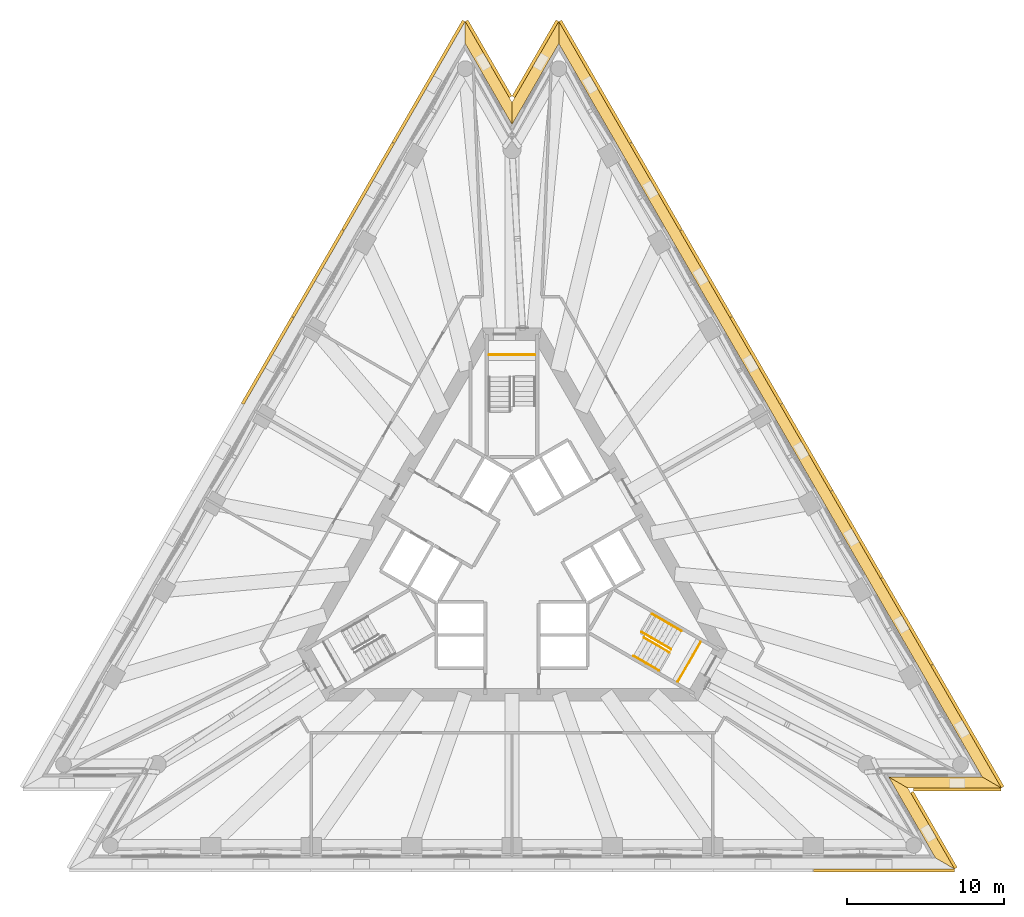
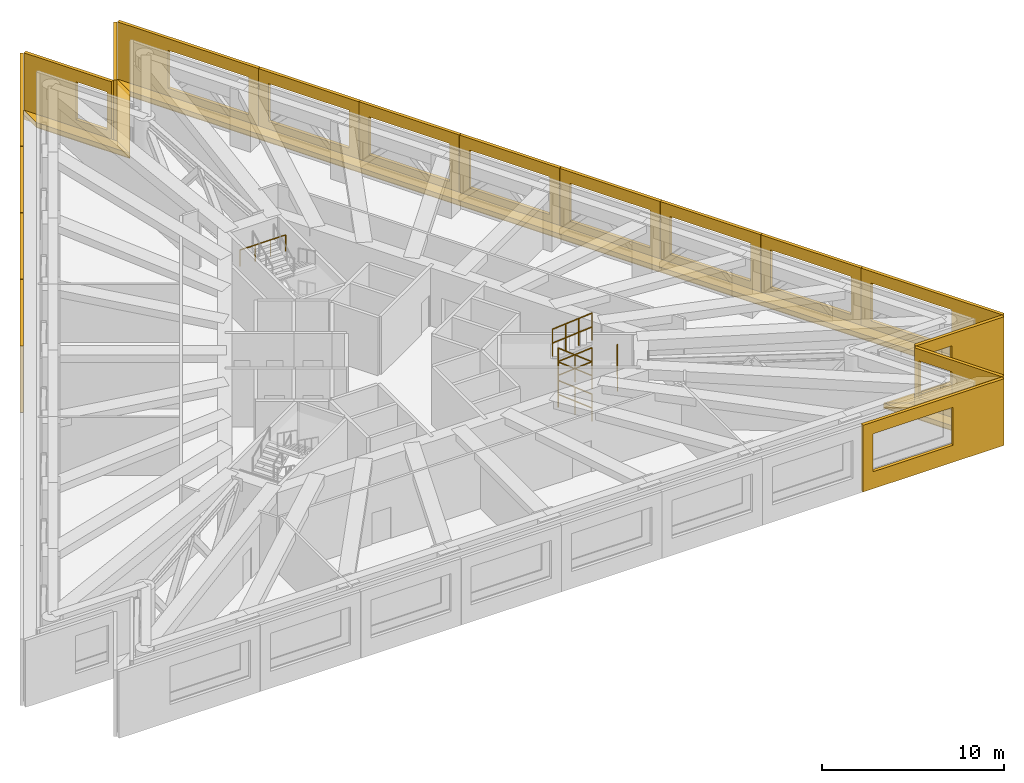
# One storey, part 13 of 13: 22 shading devices, 10 railings, 5 coverings, 2 elements without a shape of their own.
"""IFC4 building model written with IfcOpenShell, lengths in metres."""

from ifc_helpers import new_model, si_unit, direction, frame, origin, origin_2d, place, context, subcontext, project, spatial, polyline, circle, outline, extrude, material, layer, layer_set, layer_usage, type_object, element, aggregate, save


model = new_model("IFC4")

# Units and contexts
model_context = context("Model", 3, precision=1e-05, world=origin(), true_north=direction((0.0, 1.0)))
body_context = subcontext(model_context, "Body", "Model", "MODEL_VIEW")
ifc_project = project(units=[si_unit("LENGTHUNIT", "METRE"), si_unit("AREAUNIT", "SQUARE_METRE"), si_unit("VOLUMEUNIT", "CUBIC_METRE"), si_unit("PLANEANGLEUNIT", "RADIAN"), si_unit("MASSUNIT", "GRAM", prefix="KILO")], contexts=[model_context])

# Site, building, storey
site_placement = place(None, origin())
site = spatial("IfcSite", under=ifc_project, at=site_placement, CompositionType="ELEMENT")
building_placement = place(site_placement, origin())
building = spatial("IfcBuilding", under=site, at=building_placement, Name="Triada Interchange Tower", CompositionType="ELEMENT")
storey_placement = place(building_placement, frame((0.0, 0.0, 176.300048828125)))
storey = spatial("IfcBuildingStorey", under=building, at=storey_placement, Name="L41", CompositionType="ELEMENT", Elevation=176.300048828125)

# Coverings
ifc_material_1 = material(Name="Mineral fire-stop board")
ifc_layer_1 = layer(ifc_material_1, 0.0400390625, Name="Mineral fire-stop board")
ifc_material_2 = material(Name="Intumescent sealant")
ifc_layer_2 = layer(ifc_material_2, 0.010009765625, Name="Intumescent seal")
ifc_layer_set_1 = layer_set([ifc_layer_1, ifc_layer_2], Name="Cavity fire stop")
ifc_layer_usage = layer_usage(ifc_layer_set_1, "AXIS3", "POSITIVE", 0.0)
covering_type = type_object("IfcCoveringType", Name="Cavity fire stop", PredefinedType="INSULATION", material=ifc_layer_set_1)
covering_1_placement = place(storey_placement, origin())
element("IfcCovering", 1, at=covering_1_placement, inside=storey, type_object=covering_type, material=ifc_layer_usage, Name="Cavity fire stop L41 SE-1", PredefinedType="INSULATION", context=body_context, shape_type="SweptSolid", body=[
    extrude(outline(polyline([(26.89892578125, -18.9609375), (28.111083984375, -19.660888671875), (25.139892578125, -14.514892578125), (23.927978515625, -13.81494140625), (26.89892578125, -18.9609375)])), origin(), (0.0, 0.0, 1.0), 0.050048828125),
])
covering_2_placement = place(storey_placement, origin())
element("IfcCovering", 2, at=covering_2_placement, inside=storey, type_object=covering_type, material=ifc_layer_usage, Name="Cavity fire stop L41 SE-2", PredefinedType="INSULATION", context=body_context, shape_type="SweptSolid", body=[
    extrude(outline(polyline([(23.927978515625, -13.81494140625), (25.139892578125, -14.514892578125), (31.08203125, -14.514892578125), (29.8701171875, -13.81494140625), (23.927978515625, -13.81494140625)])), origin(), (0.0, 0.0, 1.0), 0.050048828125),
])
covering_3_placement = place(storey_placement, origin())
element("IfcCovering", 3, at=covering_3_placement, inside=storey, type_object=covering_type, material=ifc_layer_usage, Name="Cavity fire stop L41 NE", PredefinedType="INSULATION", context=body_context, shape_type="SweptSolid", body=[
    extrude(outline(polyline([(29.8701171875, -13.81494140625), (31.08203125, -14.514892578125), (2.970947265625, 34.176025390625), (2.970947265625, 32.77587890625), (29.8701171875, -13.81494140625)])), origin(), (0.0, 0.0, 1.0), 0.050048828125),
])
covering_4_placement = place(storey_placement, origin())
element("IfcCovering", 4, at=covering_4_placement, inside=storey, type_object=covering_type, material=ifc_layer_usage, Name="Cavity fire stop L41 N-1", PredefinedType="INSULATION", context=body_context, shape_type="SweptSolid", body=[
    extrude(outline(polyline([(2.970947265625, 32.77587890625), (2.970947265625, 34.176025390625), (0.0, 29.029052734375), (0.0, 27.62890625), (2.970947265625, 32.77587890625)])), origin(), (0.0, 0.0, 1.0), 0.050048828125),
])
covering_5_placement = place(storey_placement, origin())
element("IfcCovering", 5, at=covering_5_placement, inside=storey, type_object=covering_type, material=ifc_layer_usage, Name="Cavity fire stop L41 N-2", PredefinedType="INSULATION", context=body_context, shape_type="SweptSolid", body=[
    extrude(outline(polyline([(0.0, 27.62890625), (0.0, 29.029052734375), (-2.970947265625, 34.176025390625), (-2.970947265625, 32.77587890625), (0.0, 27.62890625)])), origin(), (0.0, 0.0, 1.0), 0.050048828125),
])

# Shading devices
ifc_material_3 = material(Name="Aluminium louvre", Category="aluminium")
shading_device_type_1 = type_object("IfcShadingDeviceType", Name="Cavity louvre grille", PredefinedType="JALOUSIE", material=ifc_material_3)
shading_device_1_placement = place(storey_placement, frame((0.0, 0.0, 0.050048828125)))
element("IfcShadingDevice", 6, at=shading_device_1_placement, inside=storey, type_object=shading_device_type_1, Name="Cavity louvre grille L41 SE-1", PredefinedType="JALOUSIE", context=body_context, shape_type="SweptSolid", body=[
    extrude(outline(polyline([(26.89892578125, -18.9609375), (28.111083984375, -19.660888671875), (25.139892578125, -14.514892578125), (23.927978515625, -13.81494140625), (26.89892578125, -18.9609375)])), origin(), (0.0, 0.0, 1.0), 0.2998046875),
])
shading_device_2_placement = place(storey_placement, frame((0.0, 0.0, 0.050048828125)))
element("IfcShadingDevice", 7, at=shading_device_2_placement, inside=storey, type_object=shading_device_type_1, Name="Cavity louvre grille L41 SE-2", PredefinedType="JALOUSIE", context=body_context, shape_type="SweptSolid", body=[
    extrude(outline(polyline([(23.927978515625, -13.81494140625), (25.139892578125, -14.514892578125), (31.08203125, -14.514892578125), (29.8701171875, -13.81494140625), (23.927978515625, -13.81494140625)])), origin(), (0.0, 0.0, 1.0), 0.2998046875),
])
shading_device_3_placement = place(storey_placement, frame((0.0, 0.0, 0.050048828125)))
element("IfcShadingDevice", 8, at=shading_device_3_placement, inside=storey, type_object=shading_device_type_1, Name="Cavity louvre grille L41 NE", PredefinedType="JALOUSIE", context=body_context, shape_type="SweptSolid", body=[
    extrude(outline(polyline([(29.8701171875, -13.81494140625), (31.08203125, -14.514892578125), (2.970947265625, 34.176025390625), (2.970947265625, 32.77587890625), (29.8701171875, -13.81494140625)])), origin(), (0.0, 0.0, 1.0), 0.2998046875),
])
shading_device_4_placement = place(storey_placement, frame((0.0, 0.0, 0.050048828125)))
element("IfcShadingDevice", 9, at=shading_device_4_placement, inside=storey, type_object=shading_device_type_1, Name="Cavity louvre grille L41 N-1", PredefinedType="JALOUSIE", context=body_context, shape_type="SweptSolid", body=[
    extrude(outline(polyline([(2.970947265625, 32.77587890625), (2.970947265625, 34.176025390625), (0.0, 29.029052734375), (0.0, 27.62890625), (2.970947265625, 32.77587890625)])), origin(), (0.0, 0.0, 1.0), 0.2998046875),
])
shading_device_5_placement = place(storey_placement, frame((0.0, 0.0, 0.050048828125)))
element("IfcShadingDevice", 10, at=shading_device_5_placement, inside=storey, type_object=shading_device_type_1, Name="Cavity louvre grille L41 N-2", PredefinedType="JALOUSIE", context=body_context, shape_type="SweptSolid", body=[
    extrude(outline(polyline([(0.0, 27.62890625), (0.0, 29.029052734375), (-2.970947265625, 34.176025390625), (-2.970947265625, 32.77587890625), (0.0, 27.62890625)])), origin(), (0.0, 0.0, 1.0), 0.2998046875),
])
ifc_material_4 = material(Name="Concrete C50/60 precast", Category="concrete")
ifc_layer_3 = layer(ifc_material_4, 0.02001953125, Name="Exposed aggregate face")
ifc_layer_4 = layer(ifc_material_4, 0.179931640625, Name="Precast concrete screen")
ifc_layer_set_2 = layer_set([ifc_layer_3, ifc_layer_4], Name="Outer skin screen panel 4480")
shading_device_type_2 = type_object("IfcShadingDeviceType", Name="Outer skin screen panel 4480", PredefinedType="SHUTTER", material=ifc_layer_set_2)
shading_device_6_placement = place(storey_placement, frame((-2.97607421875, 34.1669921875, -0.2900390625), z_axis=(0.0, 0.0, 1.0), x_axis=(-0.500003256849, -0.866023523434, 0.0)))
element("IfcShadingDevice", 11, at=shading_device_6_placement, inside=storey, type_object=shading_device_type_2, Name="Outer skin screen panel L41 01", PredefinedType="SHUTTER", context=body_context, shape_type="SweptSolid", body=[
    extrude(outline(polyline([(0.0, 0.0), (8.9560546875, 0.0), (8.9560546875, 4.47998046875), (0.0, 4.47998046875), (0.0, 0.0)]), holes=[polyline([(3.2275390625, 1.139892578125), (3.2275390625, 3.68994140625), (8.32763671875, 3.68994140625), (8.32763671875, 1.139892578125), (3.2275390625, 1.139892578125)])]), frame((0.0, 0.0, 0.0), z_axis=(0.0, -1.0, 0.0), x_axis=(1.0, 0.0, 0.0)), (0.0, 0.0, 1.0), 0.199951171875),
])
shading_device_7_placement = place(storey_placement, frame((-7.464111328125, 26.39306640625, -0.2900390625), z_axis=(0.0, 0.0, 1.0), x_axis=(-0.500000558108, -0.866025081561, 0.0)))
element("IfcShadingDevice", 12, at=shading_device_7_placement, inside=storey, type_object=shading_device_type_2, Name="Outer skin screen panel L41 02", PredefinedType="SHUTTER", context=body_context, shape_type="SweptSolid", body=[
    extrude(outline(polyline([(0.0, 0.0), (6.35791015625, 0.0), (6.35791015625, 4.47998046875), (0.0, 4.47998046875), (0.0, 0.0)]), holes=[polyline([(0.629150390625, 1.139892578125), (0.629150390625, 3.68994140625), (5.72900390625, 3.68994140625), (5.72900390625, 1.139892578125), (0.629150390625, 1.139892578125)])]), frame((0.0, 0.0, 0.0), z_axis=(0.0, -1.0, 0.0), x_axis=(1.0, 0.0, 0.0)), (0.0, 0.0, 1.0), 0.199951171875),
])
shading_device_8_placement = place(storey_placement, frame((-10.653076171875, 20.8701171875, -0.2900390625), z_axis=(0.0, 0.0, 1.0), x_axis=(-0.499934055456, -0.866063473537, 0.0)))
element("IfcShadingDevice", 13, at=shading_device_8_placement, inside=storey, type_object=shading_device_type_2, Name="Outer skin screen panel L41 03", PredefinedType="SHUTTER", context=body_context, shape_type="SweptSolid", body=[
    extrude(outline(polyline([(0.0, 0.0), (6.358642578125, 0.0), (6.358642578125, 4.47998046875), (0.0, 4.47998046875), (0.0, 0.0)]), holes=[polyline([(0.62890625, 1.139892578125), (0.62890625, 3.68994140625), (5.728759765625, 3.68994140625), (5.728759765625, 1.139892578125), (0.62890625, 1.139892578125)])]), frame((0.0, 0.0, 0.0), z_axis=(0.0, -1.0, 0.0), x_axis=(1.0, 0.0, 0.0)), (0.0, 0.0, 1.0), 0.199951171875),
])
shading_device_9_placement = place(storey_placement, frame((-13.842041015625, 15.345947265625, -0.2900390625), z_axis=(0.0, 0.0, 1.0), x_axis=(-0.500065861206, -0.86598737546, 0.0)))
element("IfcShadingDevice", 14, at=shading_device_9_placement, inside=storey, type_object=shading_device_type_2, Name="Outer skin screen panel L41 04", PredefinedType="SHUTTER", context=body_context, shape_type="SweptSolid", body=[
    extrude(outline(polyline([(0.0, 0.0), (6.359130859375, 0.0), (6.359130859375, 4.47998046875), (0.0, 4.47998046875), (0.0, 0.0)]), holes=[polyline([(0.62939453125, 1.139892578125), (0.62939453125, 3.68994140625), (5.7294921875, 3.68994140625), (5.7294921875, 1.139892578125), (0.62939453125, 1.139892578125)])]), frame((0.0, 0.0, 0.0), z_axis=(0.0, -1.0, 0.0), x_axis=(1.0, 0.0, 0.0)), (0.0, 0.0, 1.0), 0.199951171875),
])
shading_device_10_placement = place(storey_placement, frame((19.14501953125, -19.660888671875, -0.2900390625), z_axis=(0.0, 0.0, 1.0), x_axis=(1.0, 0.0, 0.0)))
element("IfcShadingDevice", 15, at=shading_device_10_placement, inside=storey, type_object=shading_device_type_2, Name="Outer skin screen panel L41 18", PredefinedType="SHUTTER", context=body_context, shape_type="SweptSolid", body=[
    extrude(outline(polyline([(0.0, 0.0), (8.9560546875, 0.0), (8.9560546875, 4.47998046875), (0.0, 4.47998046875), (0.0, 0.0)]), holes=[polyline([(0.629150390625, 1.139892578125), (0.629150390625, 3.68994140625), (5.729248046875, 3.68994140625), (5.729248046875, 1.139892578125), (0.629150390625, 1.139892578125)])]), frame((0.0, 0.0, 0.0), z_axis=(0.0, -1.0, 0.0), x_axis=(1.0, 0.0, 0.0)), (0.0, 0.0, 1.0), 0.199951171875),
])
shading_device_11_placement = place(storey_placement, frame((28.10595703125, -19.652099609375, -0.2900390625), z_axis=(0.0, 0.0, 1.0), x_axis=(-0.499912006222, 0.866076201056, 0.0)))
element("IfcShadingDevice", 16, at=shading_device_11_placement, inside=storey, type_object=shading_device_type_2, Name="Outer skin screen panel L41 19", PredefinedType="SHUTTER", context=body_context, shape_type="SweptSolid", body=[
    extrude(outline(polyline([(0.0, 0.0), (5.57470703125, 0.0), (5.57470703125, 4.47998046875), (0.0, 4.47998046875), (0.0, 0.0)]), holes=[polyline([(3.17529296875, 1.139892578125), (3.17529296875, 3.68994140625), (5.275390625, 3.68994140625), (5.275390625, 1.139892578125), (3.17529296875, 1.139892578125)])]), frame((0.0, 0.0, 0.0), z_axis=(0.0, -1.0, 0.0), x_axis=(1.0, 0.0, 0.0)), (0.0, 0.0, 1.0), 0.199951171875),
])
shading_device_12_placement = place(storey_placement, frame((25.4970703125, -14.514892578125, -0.2900390625), z_axis=(0.0, 0.0, 1.0), x_axis=(1.0, 0.0, 0.0)))
element("IfcShadingDevice", 17, at=shading_device_12_placement, inside=storey, type_object=shading_device_type_2, Name="Outer skin screen panel L41 20", PredefinedType="SHUTTER", context=body_context, shape_type="SweptSolid", body=[
    extrude(outline(polyline([(0.0, 0.0), (5.574951171875, 0.0), (5.574951171875, 4.47998046875), (0.0, 4.47998046875), (0.0, 0.0)]), holes=[polyline([(0.300048828125, 1.139892578125), (0.300048828125, 3.68994140625), (2.258056640625, 3.68994140625), (2.258056640625, 1.139892578125), (0.300048828125, 1.139892578125)])]), frame((0.0, 0.0, 0.0), z_axis=(0.0, -1.0, 0.0), x_axis=(1.0, 0.0, 0.0)), (0.0, 0.0, 1.0), 0.199951171875),
])
shading_device_13_placement = place(storey_placement, frame((31.076904296875, -14.506103515625, -0.2900390625), z_axis=(0.0, 0.0, 1.0), x_axis=(-0.499982811506, 0.866035327339, 0.0)))
element("IfcShadingDevice", 18, at=shading_device_13_placement, inside=storey, type_object=shading_device_type_2, Name="Outer skin screen panel L41 21", PredefinedType="SHUTTER", context=body_context, shape_type="SweptSolid", body=[
    extrude(outline(polyline([(0.0, 0.0), (8.955810546875, 0.0), (8.955810546875, 4.47998046875), (0.0, 4.47998046875), (0.0, 0.0)]), holes=[polyline([(3.227294921875, 1.139892578125), (3.227294921875, 3.68994140625), (8.327392578125, 3.68994140625), (8.327392578125, 1.139892578125), (3.227294921875, 1.139892578125)])]), frame((0.0, 0.0, 0.0), z_axis=(0.0, -1.0, 0.0), x_axis=(1.0, 0.0, 0.0)), (0.0, 0.0, 1.0), 0.199951171875),
])
shading_device_14_placement = place(storey_placement, frame((26.589111328125, -6.73193359375, -0.2900390625), z_axis=(0.0, 0.0, 1.0), x_axis=(-0.500045985206, 0.865998852585, 0.0)))
element("IfcShadingDevice", 19, at=shading_device_14_placement, inside=storey, type_object=shading_device_type_2, Name="Outer skin screen panel L41 22", PredefinedType="SHUTTER", context=body_context, shape_type="SweptSolid", body=[
    extrude(outline(polyline([(0.0, 0.0), (6.35791015625, 0.0), (6.35791015625, 4.47998046875), (0.0, 4.47998046875), (0.0, 0.0)]), holes=[polyline([(0.62890625, 1.139892578125), (0.62890625, 3.68994140625), (5.72900390625, 3.68994140625), (5.72900390625, 1.139892578125), (0.62890625, 1.139892578125)])]), frame((0.0, 0.0, 0.0), z_axis=(0.0, -1.0, 0.0), x_axis=(1.0, 0.0, 0.0)), (0.0, 0.0, 1.0), 0.199951171875),
])
shading_device_15_placement = place(storey_placement, frame((23.39990234375, -1.208984375, -0.2900390625), z_axis=(0.0, 0.0, 1.0), x_axis=(-0.499934055456, 0.866063473537, 0.0)))
element("IfcShadingDevice", 20, at=shading_device_15_placement, inside=storey, type_object=shading_device_type_2, Name="Outer skin screen panel L41 23", PredefinedType="SHUTTER", context=body_context, shape_type="SweptSolid", body=[
    extrude(outline(polyline([(0.0, 0.0), (6.358642578125, 0.0), (6.358642578125, 4.47998046875), (0.0, 4.47998046875), (0.0, 0.0)]), holes=[polyline([(0.62939453125, 1.139892578125), (0.62939453125, 3.68994140625), (5.7294921875, 3.68994140625), (5.7294921875, 1.139892578125), (0.62939453125, 1.139892578125)])]), frame((0.0, 0.0, 0.0), z_axis=(0.0, -1.0, 0.0), x_axis=(1.0, 0.0, 0.0)), (0.0, 0.0, 1.0), 0.199951171875),
])
shading_device_16_placement = place(storey_placement, frame((20.2109375, 4.31494140625, -0.2900390625), z_axis=(0.0, 0.0, 1.0), x_axis=(-0.499934055456, 0.866063473537, 0.0)))
element("IfcShadingDevice", 21, at=shading_device_16_placement, inside=storey, type_object=shading_device_type_2, Name="Outer skin screen panel L41 24", PredefinedType="SHUTTER", context=body_context, shape_type="SweptSolid", body=[
    extrude(outline(polyline([(0.0, 0.0), (6.358642578125, 0.0), (6.358642578125, 4.47998046875), (0.0, 4.47998046875), (0.0, 0.0)]), holes=[polyline([(0.629150390625, 1.139892578125), (0.629150390625, 3.68994140625), (5.72900390625, 3.68994140625), (5.72900390625, 1.139892578125), (0.629150390625, 1.139892578125)])]), frame((0.0, 0.0, 0.0), z_axis=(0.0, -1.0, 0.0), x_axis=(1.0, 0.0, 0.0)), (0.0, 0.0, 1.0), 0.199951171875),
])
shading_device_17_placement = place(storey_placement, frame((17.02197265625, 9.839111328125, -0.2900390625), z_axis=(0.0, 0.0, 1.0), x_axis=(-0.500065861206, 0.86598737546, 0.0)))
element("IfcShadingDevice", 22, at=shading_device_17_placement, inside=storey, type_object=shading_device_type_2, Name="Outer skin screen panel L41 25", PredefinedType="SHUTTER", context=body_context, shape_type="SweptSolid", body=[
    extrude(outline(polyline([(0.0, 0.0), (6.359130859375, 0.0), (6.359130859375, 4.47998046875), (0.0, 4.47998046875), (0.0, 0.0)]), holes=[polyline([(0.628662109375, 1.139892578125), (0.628662109375, 3.68994140625), (5.728759765625, 3.68994140625), (5.728759765625, 1.139892578125), (0.628662109375, 1.139892578125)])]), frame((0.0, 0.0, 0.0), z_axis=(0.0, -1.0, 0.0), x_axis=(1.0, 0.0, 0.0)), (0.0, 0.0, 1.0), 0.199951171875),
])
shading_device_18_placement = place(storey_placement, frame((13.83203125, 15.363037109375, -0.2900390625), z_axis=(0.0, 0.0, 1.0), x_axis=(-0.499934055456, 0.866063473537, 0.0)))
element("IfcShadingDevice", 23, at=shading_device_18_placement, inside=storey, type_object=shading_device_type_2, Name="Outer skin screen panel L41 26", PredefinedType="SHUTTER", context=body_context, shape_type="SweptSolid", body=[
    extrude(outline(polyline([(0.0, 0.0), (6.358642578125, 0.0), (6.358642578125, 4.47998046875), (0.0, 4.47998046875), (0.0, 0.0)]), holes=[polyline([(0.62939453125, 1.139892578125), (0.62939453125, 3.68994140625), (5.729248046875, 3.68994140625), (5.729248046875, 1.139892578125), (0.62939453125, 1.139892578125)])]), frame((0.0, 0.0, 0.0), z_axis=(0.0, -1.0, 0.0), x_axis=(1.0, 0.0, 0.0)), (0.0, 0.0, 1.0), 0.199951171875),
])
shading_device_19_placement = place(storey_placement, frame((10.64306640625, 20.886962890625, -0.2900390625), z_axis=(0.0, 0.0, 1.0), x_axis=(-0.500000558108, 0.866025081561, 0.0)))
element("IfcShadingDevice", 24, at=shading_device_19_placement, inside=storey, type_object=shading_device_type_2, Name="Outer skin screen panel L41 27", PredefinedType="SHUTTER", context=body_context, shape_type="SweptSolid", body=[
    extrude(outline(polyline([(0.0, 0.0), (6.35791015625, 0.0), (6.35791015625, 4.47998046875), (0.0, 4.47998046875), (0.0, 0.0)]), holes=[polyline([(0.62890625, 1.139892578125), (0.62890625, 3.68994140625), (5.72900390625, 3.68994140625), (5.72900390625, 1.139892578125), (0.62890625, 1.139892578125)])]), frame((0.0, 0.0, 0.0), z_axis=(0.0, -1.0, 0.0), x_axis=(1.0, 0.0, 0.0)), (0.0, 0.0, 1.0), 0.199951171875),
])
shading_device_20_placement = place(storey_placement, frame((7.4541015625, 26.410888671875, -0.2900390625), z_axis=(0.0, 0.0, 1.0), x_axis=(-0.500003256849, 0.866023523434, 0.0)))
element("IfcShadingDevice", 25, at=shading_device_20_placement, inside=storey, type_object=shading_device_type_2, Name="Outer skin screen panel L41 28", PredefinedType="SHUTTER", context=body_context, shape_type="SweptSolid", body=[
    extrude(outline(polyline([(0.0, 0.0), (8.9560546875, 0.0), (8.9560546875, 4.47998046875), (0.0, 4.47998046875), (0.0, 0.0)]), holes=[polyline([(0.629638671875, 1.139892578125), (0.629638671875, 3.68994140625), (5.7294921875, 3.68994140625), (5.7294921875, 1.139892578125), (0.629638671875, 1.139892578125)])]), frame((0.0, 0.0, 0.0), z_axis=(0.0, -1.0, 0.0), x_axis=(1.0, 0.0, 0.0)), (0.0, 0.0, 1.0), 0.199951171875),
])
shading_device_21_placement = place(storey_placement, frame((2.966064453125, 34.1669921875, -0.2900390625), z_axis=(0.0, 0.0, 1.0), x_axis=(-0.500000383388, -0.866025182435, 0.0)))
element("IfcShadingDevice", 26, at=shading_device_21_placement, inside=storey, type_object=shading_device_type_2, Name="Outer skin screen panel L41 29", PredefinedType="SHUTTER", context=body_context, shape_type="SweptSolid", body=[
    extrude(outline(polyline([(0.0, 0.0), (5.576171875, 0.0), (5.576171875, 4.47998046875), (0.0, 4.47998046875), (0.0, 0.0)]), holes=[polyline([(3.17578125, 1.139892578125), (3.17578125, 3.68994140625), (5.276611328125, 3.68994140625), (5.276611328125, 1.139892578125), (3.17578125, 1.139892578125)])]), frame((0.0, 0.0, 0.0), z_axis=(0.0, -1.0, 0.0), x_axis=(1.0, 0.0, 0.0)), (0.0, 0.0, 1.0), 0.199951171875),
])
shading_device_22_placement = place(storey_placement, frame((-0.177978515625, 29.337890625, -0.2900390625), z_axis=(0.0, 0.0, 1.0), x_axis=(-0.500000383388, 0.866025182435, 0.0)))
element("IfcShadingDevice", 27, at=shading_device_22_placement, inside=storey, type_object=shading_device_type_2, Name="Outer skin screen panel L41 30", PredefinedType="SHUTTER", context=body_context, shape_type="SweptSolid", body=[
    extrude(outline(polyline([(0.0, 0.0), (5.576171875, 0.0), (5.576171875, 4.47998046875), (0.0, 4.47998046875), (0.0, 0.0)]), holes=[polyline([(0.300048828125, 1.139892578125), (0.300048828125, 3.68994140625), (2.2578125, 3.68994140625), (2.2578125, 1.139892578125), (0.300048828125, 1.139892578125)])]), frame((0.0, 0.0, 0.0), z_axis=(0.0, -1.0, 0.0), x_axis=(1.0, 0.0, 0.0)), (0.0, 0.0, 1.0), 0.199951171875),
])

# Stair, railing
ifc_material_5 = material(Name="Concrete C35/45", Category="concrete")
stair_type = type_object("IfcStairType", Name="HALF TURN STAIR 1400", PredefinedType="HALF_TURN_STAIR", material=ifc_material_5)
stair_1_placement = place(storey_placement, origin())
stair_1 = element("IfcStair", 28, at=stair_1_placement, inside=storey, type_object=stair_type, Name="Exit stair S41-1", PredefinedType="HALF_TURN_STAIR")
ifc_material_6 = material(Name="Stainless steel 1.4301", Category="steel")
railing_type_1 = type_object("IfcRailingType", Name="STAIR GUARD 1100", PredefinedType="GUARDRAIL", material=ifc_material_6)
railing_1_placement = place(storey_placement, frame((1.449951171875, 13.0, 2.17236328125)))
railing_1 = element("IfcRailing", 29, at=railing_1_placement, type_object=railing_type_1, Name="Guard S41-1 1", PredefinedType="GUARDRAIL", context=body_context, shape_type="SweptSolid", body=[
    extrude(circle(Radius=0.02392578125, at=origin_2d()), frame((0.0, 0.0, 1.076171875), z_axis=(-1.0, 0.0, 0.0), x_axis=(0.0, -1.0, 0.0)), (0.0, 0.0, 1.0), 2.89990234375),
    extrude(circle(Radius=0.02099609375, at=origin_2d()), origin(), (0.0, 0.0, 1.0), 1.052001953125),
    extrude(circle(Radius=0.02099609375, at=origin_2d()), frame((-0.966552734375, 0.0, 0.0)), (0.0, 0.0, 1.0), 1.052001953125),
    extrude(circle(Radius=0.02099609375, at=origin_2d()), frame((-1.933349609375, 0.0, 0.0)), (0.0, 0.0, 1.0), 1.052001953125),
    extrude(circle(Radius=0.02099609375, at=origin_2d()), frame((-2.89990234375, 0.0, 0.0)), (0.0, 0.0, 1.0), 1.052001953125),
])
aggregate(stair_1, [railing_1])

# Stair, railings
stair_2_placement = place(storey_placement, origin())
stair_2 = element("IfcStair", 30, at=stair_2_placement, inside=storey, type_object=stair_type, Name="Exit stair S41-3", PredefinedType="HALF_TURN_STAIR")
railing_2_placement = place(storey_placement, frame((10.532958984375, -7.756103515625, 2.17236328125)))
railing_2 = element("IfcRailing", 31, at=railing_2_placement, type_object=railing_type_1, Name="Guard S41-3 1", PredefinedType="GUARDRAIL", context=body_context, shape_type="SweptSolid", body=[
    extrude(circle(Radius=0.02392578125, at=origin_2d()), frame((0.0, 0.0, 1.076171875), z_axis=(0.499877891294, 0.866095891802, 0.0), x_axis=(-0.866095891802, 0.499877891294, 0.0)), (0.0, 0.0, 1.0), 2.900634765625),
    extrude(circle(Radius=0.02099609375, at=origin_2d()), origin(), (0.0, 0.0, 1.0), 1.052001953125),
    extrude(circle(Radius=0.02099609375, at=origin_2d()), frame((0.4833984375, 0.83740234375, 0.0)), (0.0, 0.0, 1.0), 1.052001953125),
    extrude(circle(Radius=0.02099609375, at=origin_2d()), frame((0.966552734375, 1.6748046875, 0.0)), (0.0, 0.0, 1.0), 1.052001953125),
    extrude(circle(Radius=0.02099609375, at=origin_2d()), frame((1.449951171875, 2.51220703125, 0.0)), (0.0, 0.0, 1.0), 1.052001953125),
])
railing_type_2 = type_object("IfcRailingType", Name="STAIR HANDRAIL 900", PredefinedType="HANDRAIL", material=ifc_material_6)
railing_3_placement = place(storey_placement, frame((9.321044921875, -7.055908203125, 0.155029296875)))
railing_3 = element("IfcRailing", 32, at=railing_3_placement, type_object=railing_type_2, Name="Handrail S41-3 1W", PredefinedType="HANDRAIL", context=body_context, shape_type="SweptSolid", body=[
    extrude(circle(Radius=0.02392578125, at=origin_2d()), frame((0.0, 0.0, 0.8759765625), z_axis=(-0.774469289278, 0.447030386856, 0.447617194925), x_axis=(-0.499908018857, -0.866078502609, 0.0)), (0.0, 0.0, 1.0), 2.080322265625),
    extrude(circle(Radius=0.02099609375, at=origin_2d()), origin(), (0.0, 0.0, 1.0), 0.851806640625),
    extrude(circle(Radius=0.02099609375, at=origin_2d()), frame((-0.8056640625, 0.46484375, 0.465576171875)), (0.0, 0.0, 1.0), 0.851806640625),
    extrude(circle(Radius=0.02099609375, at=origin_2d()), frame((-1.611083984375, 0.929931640625, 0.93115234375)), (0.0, 0.0, 1.0), 0.851806640625),
])
railing_4_placement = place(storey_placement, frame((9.986083984375, -5.904052734375, 0.155029296875)))
railing_4 = element("IfcRailing", 33, at=railing_4_placement, type_object=railing_type_2, Name="Handrail S41-3 1C", PredefinedType="HANDRAIL", context=body_context, shape_type="SweptSolid", body=[
    extrude(circle(Radius=0.02392578125, at=origin_2d()), frame((0.0, 0.0, 0.8759765625), z_axis=(-0.774469289278, 0.447030386856, 0.447617194925), x_axis=(-0.499908018857, -0.866078502609, 0.0)), (0.0, 0.0, 1.0), 2.080322265625),
    extrude(circle(Radius=0.02099609375, at=origin_2d()), origin(), (0.0, 0.0, 1.0), 0.851806640625),
    extrude(circle(Radius=0.02099609375, at=origin_2d()), frame((-0.8056640625, 0.46484375, 0.465576171875)), (0.0, 0.0, 1.0), 0.851806640625),
    extrude(circle(Radius=0.02099609375, at=origin_2d()), frame((-1.611083984375, 0.929931640625, 0.93115234375)), (0.0, 0.0, 1.0), 0.851806640625),
])
railing_5_placement = place(storey_placement, frame((9.159912109375, -3.614013671875, 1.241455078125)))
railing_5 = element("IfcRailing", 34, at=railing_5_placement, type_object=railing_type_2, Name="Handrail S41-3 2W", PredefinedType="HANDRAIL", context=body_context, shape_type="SweptSolid", body=[
    extrude(circle(Radius=0.02392578125, at=origin_2d()), frame((0.0, 0.0, 0.8759765625), z_axis=(0.774509972404, -0.447053869509, 0.447523340624), x_axis=(0.499908018857, 0.866078502609, 0.0)), (0.0, 0.0, 1.0), 2.080078125),
    extrude(circle(Radius=0.02099609375, at=origin_2d()), origin(), (0.0, 0.0, 1.0), 0.851806640625),
    extrude(circle(Radius=0.02099609375, at=origin_2d()), frame((0.8056640625, -0.46484375, 0.46533203125)), (0.0, 0.0, 1.0), 0.851806640625),
    extrude(circle(Radius=0.02099609375, at=origin_2d()), frame((1.611083984375, -0.929931640625, 0.930908203125)), (0.0, 0.0, 1.0), 0.851806640625),
])
railing_6_placement = place(storey_placement, frame((8.4951171875, -4.76611328125, 1.241455078125)))
railing_6 = element("IfcRailing", 35, at=railing_6_placement, type_object=railing_type_2, Name="Handrail S41-3 2C", PredefinedType="HANDRAIL", context=body_context, shape_type="SweptSolid", body=[
    extrude(circle(Radius=0.02392578125, at=origin_2d()), frame((0.0, 0.0, 0.8759765625), z_axis=(0.774463003126, -0.447094510292, 0.447564024086), x_axis=(0.499964847546, 0.866045698112, 0.0)), (0.0, 0.0, 1.0), 2.079833984375),
    extrude(circle(Radius=0.02099609375, at=origin_2d()), origin(), (0.0, 0.0, 1.0), 0.851806640625),
    extrude(circle(Radius=0.02099609375, at=origin_2d()), frame((0.805419921875, -0.46484375, 0.46533203125)), (0.0, 0.0, 1.0), 0.851806640625),
    extrude(circle(Radius=0.02099609375, at=origin_2d()), frame((1.61083984375, -0.929931640625, 0.930908203125)), (0.0, 0.0, 1.0), 0.851806640625),
])
railing_7_placement = place(storey_placement, frame((9.321044921875, -7.055908203125, 2.32763671875)))
railing_7 = element("IfcRailing", 36, at=railing_7_placement, type_object=railing_type_2, Name="Handrail S41-3 3W", PredefinedType="HANDRAIL", context=body_context, shape_type="SweptSolid", body=[
    extrude(circle(Radius=0.02392578125, at=origin_2d()), frame((0.0, 0.0, 0.8759765625), z_axis=(-0.774509972404, 0.447053869509, 0.447523340624), x_axis=(-0.499908018857, -0.866078502609, 0.0)), (0.0, 0.0, 1.0), 2.080078125),
    extrude(circle(Radius=0.02099609375, at=origin_2d()), origin(), (0.0, 0.0, 1.0), 0.851806640625),
    extrude(circle(Radius=0.02099609375, at=origin_2d()), frame((-0.8056640625, 0.46484375, 0.46533203125)), (0.0, 0.0, 1.0), 0.851806640625),
    extrude(circle(Radius=0.02099609375, at=origin_2d()), frame((-1.611083984375, 0.929931640625, 0.930908203125)), (0.0, 0.0, 1.0), 0.851806640625),
])
railing_8_placement = place(storey_placement, frame((9.986083984375, -5.904052734375, 2.32763671875)))
railing_8 = element("IfcRailing", 37, at=railing_8_placement, type_object=railing_type_2, Name="Handrail S41-3 3C", PredefinedType="HANDRAIL", context=body_context, shape_type="SweptSolid", body=[
    extrude(circle(Radius=0.02392578125, at=origin_2d()), frame((0.0, 0.0, 0.8759765625), z_axis=(-0.774509972404, 0.447053869509, 0.447523340624), x_axis=(-0.499908018857, -0.866078502609, 0.0)), (0.0, 0.0, 1.0), 2.080078125),
    extrude(circle(Radius=0.02099609375, at=origin_2d()), origin(), (0.0, 0.0, 1.0), 0.851806640625),
    extrude(circle(Radius=0.02099609375, at=origin_2d()), frame((-0.8056640625, 0.46484375, 0.46533203125)), (0.0, 0.0, 1.0), 0.851806640625),
    extrude(circle(Radius=0.02099609375, at=origin_2d()), frame((-1.611083984375, 0.929931640625, 0.930908203125)), (0.0, 0.0, 1.0), 0.851806640625),
])
railing_9_placement = place(storey_placement, frame((8.89208984375, -3.458984375, 3.413818359375)))
railing_9 = element("IfcRailing", 38, at=railing_9_placement, type_object=railing_type_2, Name="Handrail S41-3 4W", PredefinedType="HANDRAIL", context=body_context, shape_type="SweptSolid", body=[
    extrude(circle(Radius=0.02392578125, at=origin_2d()), frame((0.0, 0.0, 0.8759765625), z_axis=(0.774372634864, -0.44715592377, 0.447659024494), x_axis=(0.500060114735, 0.865990693744, 0.0)), (0.0, 0.0, 1.0), 2.42626953125),
    extrude(circle(Radius=0.02099609375, at=origin_2d()), origin(), (0.0, 0.0, 1.0), 0.851806640625),
    extrude(circle(Radius=0.02099609375, at=origin_2d()), frame((0.626220703125, -0.361572265625, 0.362060546875)), (0.0, 0.0, 1.0), 0.851806640625),
    extrude(circle(Radius=0.02099609375, at=origin_2d()), frame((1.252685546875, -0.723388671875, 0.72412109375)), (0.0, 0.0, 1.0), 0.851806640625),
    extrude(circle(Radius=0.02099609375, at=origin_2d()), frame((1.87890625, -1.0849609375, 1.086181640625)), (0.0, 0.0, 1.0), 0.851806640625),
])
railing_10_placement = place(storey_placement, frame((8.22705078125, -4.611083984375, 3.413818359375)))
railing_10 = element("IfcRailing", 39, at=railing_10_placement, type_object=railing_type_2, Name="Handrail S41-3 4C", PredefinedType="HANDRAIL", context=body_context, shape_type="SweptSolid", body=[
    extrude(circle(Radius=0.02392578125, at=origin_2d()), frame((0.0, 0.0, 0.8759765625), z_axis=(0.774372634864, -0.44715592377, 0.447659024494), x_axis=(0.500060114735, 0.865990693744, 0.0)), (0.0, 0.0, 1.0), 2.42626953125),
    extrude(circle(Radius=0.02099609375, at=origin_2d()), origin(), (0.0, 0.0, 1.0), 0.851806640625),
    extrude(circle(Radius=0.02099609375, at=origin_2d()), frame((0.626220703125, -0.361572265625, 0.362060546875)), (0.0, 0.0, 1.0), 0.851806640625),
    extrude(circle(Radius=0.02099609375, at=origin_2d()), frame((1.252685546875, -0.723388671875, 0.72412109375)), (0.0, 0.0, 1.0), 0.851806640625),
    extrude(circle(Radius=0.02099609375, at=origin_2d()), frame((1.87890625, -1.0849609375, 1.086181640625)), (0.0, 0.0, 1.0), 0.851806640625),
])
aggregate(stair_2, [railing_3, railing_4, railing_5, railing_6, railing_7, railing_8, railing_9, railing_10, railing_2])

save(model, "model.ifc")
